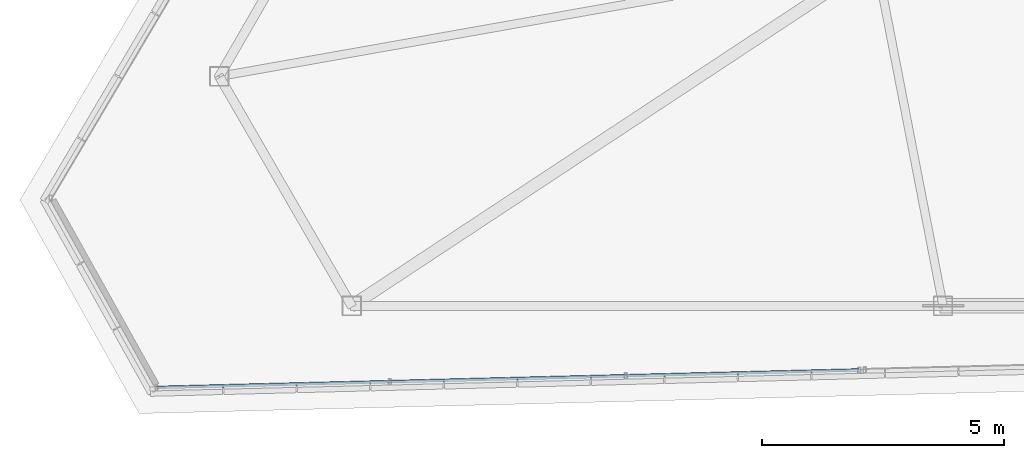
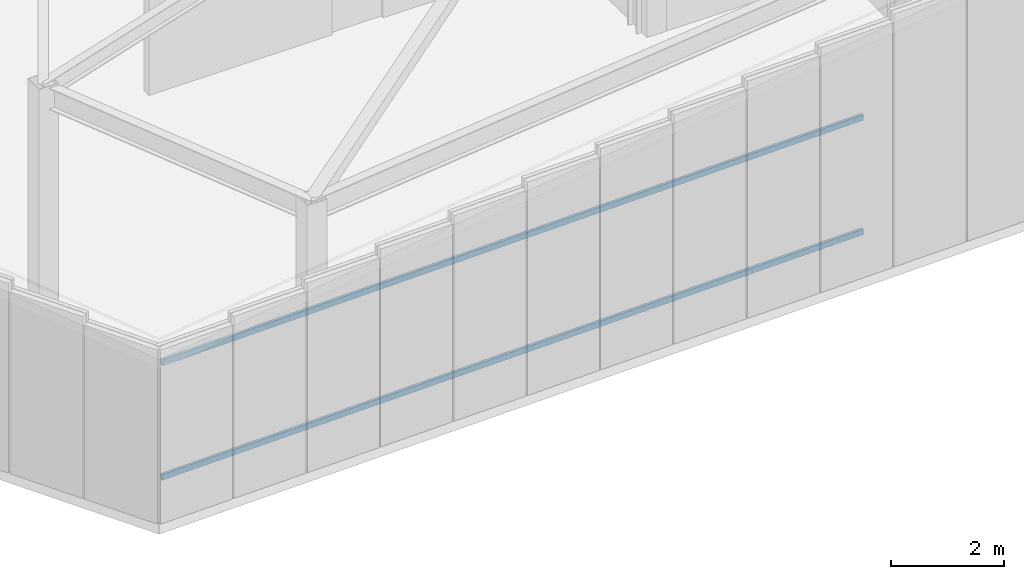
# One storey, part 4 of 50: 2 members, 1 element without a shape of its own.
"""IFC4 building model written with IfcOpenShell, lengths in metres."""

from ifc_helpers import new_model, si_unit, direction, frame, origin, origin_2d, place, context, subcontext, project, spatial, hollow_rectangle, extrude, source, transform, mapped, material, material_profile, profile_set, type_object, type_shapes, element, aggregate, save


model = new_model("IFC4")

# Units and contexts
model_context = context("Model", 3, precision=1e-05, world=origin(), true_north=direction((0.0, 1.0)))
body_context = subcontext(model_context, "Body", "Model", "MODEL_VIEW")
ifc_project = project(units=[si_unit("LENGTHUNIT", "METRE"), si_unit("AREAUNIT", "SQUARE_METRE"), si_unit("VOLUMEUNIT", "CUBIC_METRE"), si_unit("PLANEANGLEUNIT", "RADIAN"), si_unit("MASSUNIT", "GRAM", prefix="KILO")], contexts=[model_context])

# Site, building, storey
site_placement = place(None, origin())
site = spatial("IfcSite", under=ifc_project, at=site_placement, CompositionType="ELEMENT")
building_placement = place(site_placement, origin())
building = spatial("IfcBuilding", under=site, at=building_placement, Name="Caelisora Broadcast Tower", CompositionType="ELEMENT")
storey_placement = place(building_placement, frame((0.0, 0.0, 303.39990234375)))
storey = spatial("IfcBuildingStorey", under=building, at=storey_placement, Name="L80", CompositionType="ELEMENT", Elevation=303.39990234375)

# Curtain wall, members
ifc_material_1 = material(Name="Unitised Aluminium Insulated Shadow-Box Spandrel Curtain Wall", Category="aluminium")
curtain_wall_type = type_object("IfcCurtainWallType", Name="CW-SP3", PredefinedType="NOTDEFINED", material=ifc_material_1)
curtain_wall_placement = place(storey_placement, origin())
curtain_wall = element("IfcCurtainWall", 1, at=curtain_wall_placement, inside=storey, type_object=curtain_wall_type, Name="L80 curtain wall CW-SP3", PredefinedType="NOTDEFINED")
ifc_material_2 = material(Name="Aluminium 6063-T6 Anodised Terracotta Bronze", Category="aluminium")
ifc_material_profile = material_profile(ifc_material_2, hollow_rectangle(XDim=0.06005859375, YDim=0.1201171875, WallThickness=0.0029296875, at=origin_2d()), Name="Aluminium 6063-T6 Anodised Terracotta Bronze")
ifc_profile_set = profile_set([ifc_material_profile], Name="Aluminium 6063-T6 Anodised Terracotta Bronze")
member_type = type_object("IfcMemberType", Name="CWT-03", PredefinedType="USERDEFINED", material=ifc_profile_set)
shared_shape = source(origin(), body_context, "Body", "SweptSolid", [
    extrude(hollow_rectangle(XDim=0.06005859375, YDim=0.1201171875, WallThickness=0.0029296875, at=origin_2d()), origin(), (0.0, 0.0, 1.0), 14.53369140625),
])
type_shapes(member_type, [shared_shape])
member_1_placement = place(storey_placement, frame((30.154296875, 8.92431640625, 0.85009765625), z_axis=(-0.999689657676, -0.024911610471, 0.0), x_axis=(0.024911610471, -0.999689657676, 0.0)))
member_1 = element("IfcMember", 2, at=member_1_placement, type_object=member_type, Name="L80-CW-B07 transom #1", ObjectType="TRANSOM", PredefinedType="USERDEFINED", context=body_context, shape_type="MappedRepresentation", body=[
    mapped(shared_shape, transform((0.0, 0.0, 0.0), scale=1.0)),
])
member_2_placement = place(storey_placement, frame((30.154296875, 8.92431640625, 3.320068359375), z_axis=(-0.999689657676, -0.024911610471, 0.0), x_axis=(0.024911610471, -0.999689657676, 0.0)))
member_2 = element("IfcMember", 3, at=member_2_placement, type_object=member_type, Name="L80-CW-B07 transom #2", ObjectType="TRANSOM", PredefinedType="USERDEFINED", context=body_context, shape_type="MappedRepresentation", body=[
    mapped(shared_shape, transform((0.0, 0.0, 0.0), scale=1.0)),
])
aggregate(curtain_wall, [member_1, member_2])

save(model, "model.ifc")
